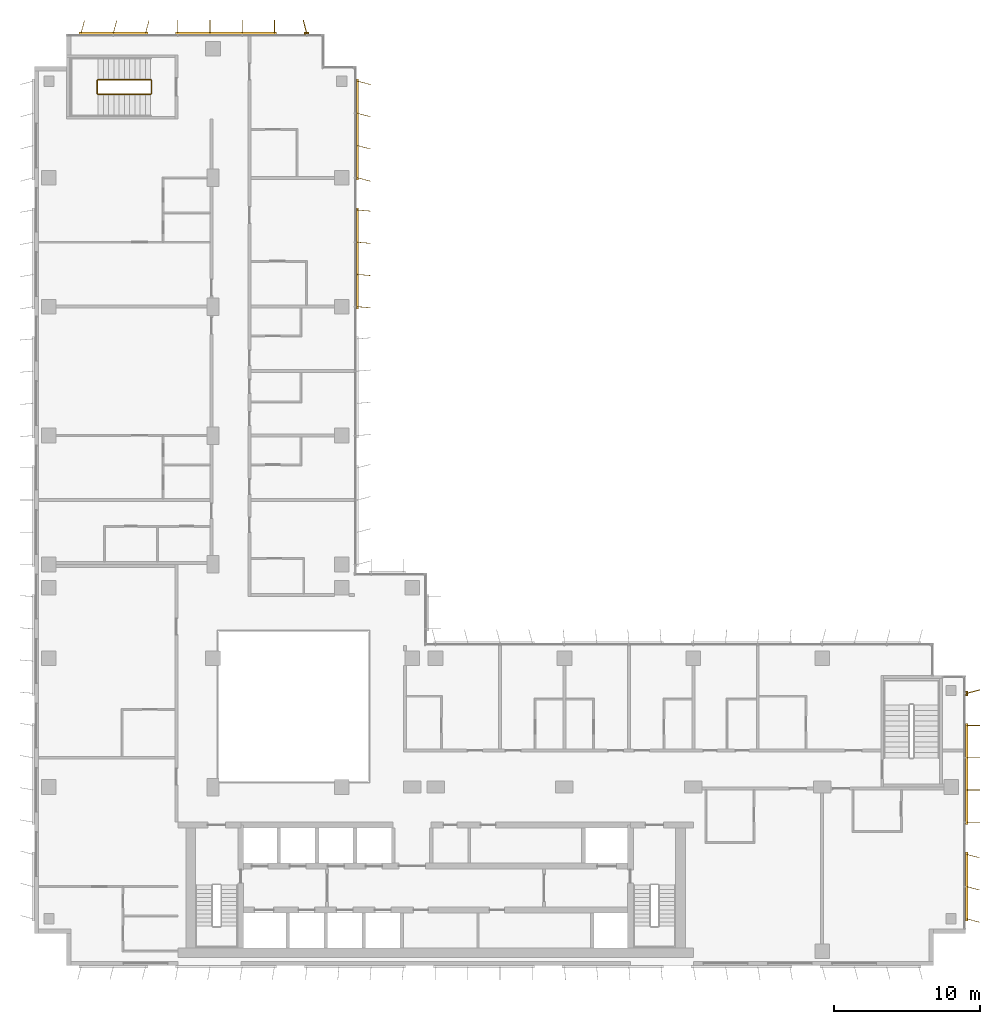
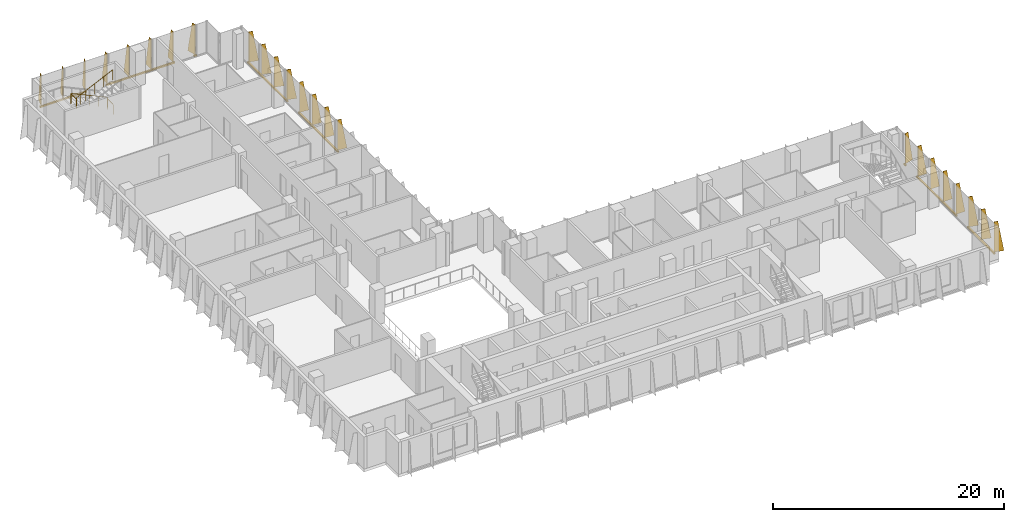
# One storey, part 21 of 21: 8 shading devices, 1 railing.
"""IFC4 building model written with IfcOpenShell, lengths in metres."""

from ifc_helpers import new_model, si_unit, direction, frame, origin, origin_2d, place, context, subcontext, project, spatial, polyline, rectangle, circle, outline, extrude, source, transform, mapped, material, layer, layer_set, type_object, element, save


model = new_model("IFC4")

# Units and contexts
model_context = context("Model", 3, precision=1e-05, world=origin(), true_north=direction((0.0, 1.0)))
body_context = subcontext(model_context, "Body", "Model", "MODEL_VIEW")
ifc_project = project(units=[si_unit("LENGTHUNIT", "METRE"), si_unit("AREAUNIT", "SQUARE_METRE"), si_unit("VOLUMEUNIT", "CUBIC_METRE"), si_unit("PLANEANGLEUNIT", "RADIAN"), si_unit("MASSUNIT", "GRAM", prefix="KILO")], contexts=[model_context])

# Site, building, storey
site_placement = place(None, origin())
site = spatial("IfcSite", under=ifc_project, at=site_placement, CompositionType="ELEMENT")
building_placement = place(site_placement, origin())
building = spatial("IfcBuilding", under=site, at=building_placement, Name="Kemantara Hotel Tower", CompositionType="ELEMENT")
storey_placement = place(building_placement, frame((0.0, 0.0, 167.89990234375)))
storey = spatial("IfcBuildingStorey", under=building, at=storey_placement, Name="L41", CompositionType="ELEMENT", Elevation=167.89990234375)

# Railing
ifc_material_1 = material(Name="Stainless steel balustrade", Category="steel")
railing_type = type_object("IfcRailingType", Name="Stair guard 1100 mm", PredefinedType="GUARDRAIL", material=ifc_material_1)
railing_placement = place(storey_placement, frame((7.949951171875, 59.5, 3.7001953125)))
element("IfcRailing", 1, at=railing_placement, inside=storey, type_object=railing_type, Name="L41 ST4 stair guard 1", PredefinedType="GUARDRAIL", context=body_context, shape_type="SweptSolid", body=[
    extrude(circle(Radius=0.02392578125, at=origin_2d()), frame((0.0, 0.0, 1.076171875), z_axis=(-0.905994681025, 0.0, -0.423289071386), x_axis=(0.0, -1.0, 0.0)), (0.0, 0.0, 1.0), 3.973388671875),
    extrude(circle(Radius=0.02392578125, at=origin_2d()), frame((-3.599853515625, 0.0, -0.60595703125), z_axis=(-0.274243871929, 0.274243871929, -0.92172696468), x_axis=(-0.707106781187, -0.707106781187, 0.0)), (0.0, 0.0, 1.0), 0.1826171875),
    extrude(circle(Radius=0.02392578125, at=origin_2d()), frame((-3.64990234375, 0.050048828125, -0.77392578125), z_axis=(0.0, 1.0, 0.0), x_axis=(-1.0, 0.0, 0.0)), (0.0, 0.0, 1.0), 0.89990234375),
    extrude(circle(Radius=0.02392578125, at=origin_2d()), frame((-3.64990234375, 0.949951171875, -0.77392578125), z_axis=(0.707106781187, 0.707106781187, 0.0), x_axis=(-0.707106781187, 0.707106781187, 0.0)), (0.0, 0.0, 1.0), 0.07080078125),
    extrude(circle(Radius=0.02392578125, at=origin_2d()), frame((-3.599853515625, 1.0, -0.77392578125), z_axis=(0.905994681025, 0.0, -0.423289071386), x_axis=(0.0, 1.0, 0.0)), (0.0, 0.0, 1.0), 3.973388671875),
    extrude(circle(Radius=0.02392578125, at=origin_2d()), frame((0.0, 1.0, -2.4560546875), z_axis=(0.274243871929, -0.274243871929, -0.92172696468), x_axis=(0.707106781187, 0.707106781187, 0.0)), (0.0, 0.0, 1.0), 0.1826171875),
    extrude(circle(Radius=0.02392578125, at=origin_2d()), frame((0.050048828125, 0.949951171875, -2.6240234375), z_axis=(0.0, -1.0, 0.0), x_axis=(1.0, 0.0, 0.0)), (0.0, 0.0, 1.0), 0.89990234375),
    extrude(circle(Radius=0.02099609375, at=origin_2d()), origin(), (0.0, 0.0, 1.0), 1.052001953125),
    extrude(circle(Radius=0.02099609375, at=origin_2d()), frame((-0.89990234375, 0.0, -0.42041015625)), (0.0, 0.0, 1.0), 1.052001953125),
    extrude(circle(Radius=0.02099609375, at=origin_2d()), frame((-1.7998046875, 0.0, -0.8408203125)), (0.0, 0.0, 1.0), 1.052001953125),
    extrude(circle(Radius=0.02099609375, at=origin_2d()), frame((-2.699951171875, 0.0, -1.261474609375)), (0.0, 0.0, 1.0), 1.052001953125),
    extrude(circle(Radius=0.02099609375, at=origin_2d()), frame((-3.599853515625, 0.0, -1.681884765625)), (0.0, 0.0, 1.0), 1.052001953125),
    extrude(circle(Radius=0.02099609375, at=origin_2d()), frame((-3.64990234375, 0.050048828125, -1.85009765625)), (0.0, 0.0, 1.0), 1.052001953125),
    extrude(circle(Radius=0.02099609375, at=origin_2d()), frame((-3.64990234375, 0.949951171875, -1.85009765625)), (0.0, 0.0, 1.0), 1.052001953125),
    extrude(circle(Radius=0.02099609375, at=origin_2d()), frame((-3.599853515625, 1.0, -1.85009765625)), (0.0, 0.0, 1.0), 1.052001953125),
    extrude(circle(Radius=0.02099609375, at=origin_2d()), frame((-2.699951171875, 1.0, -2.2705078125)), (0.0, 0.0, 1.0), 1.052001953125),
    extrude(circle(Radius=0.02099609375, at=origin_2d()), frame((-1.7998046875, 1.0, -2.69091796875)), (0.0, 0.0, 1.0), 1.052001953125),
    extrude(circle(Radius=0.02099609375, at=origin_2d()), frame((-0.89990234375, 1.0, -3.111572265625)), (0.0, 0.0, 1.0), 1.052001953125),
    extrude(circle(Radius=0.02099609375, at=origin_2d()), frame((0.0, 1.0, -3.531982421875)), (0.0, 0.0, 1.0), 1.052001953125),
    extrude(circle(Radius=0.02099609375, at=origin_2d()), frame((0.050048828125, 0.949951171875, -3.7001953125)), (0.0, 0.0, 1.0), 1.052001953125),
    extrude(circle(Radius=0.02099609375, at=origin_2d()), frame((0.050048828125, 0.050048828125, -3.7001953125)), (0.0, 0.0, 1.0), 1.052001953125),
])

# Shading devices
ifc_material_2 = material(Name="Perforated aluminium plate 4 mm bronze anodised", Category="aluminium")
ifc_layer_1 = layer(ifc_material_2, 0.0400390625)
ifc_layer_set_1 = layer_set([ifc_layer_1], Name="Perforated aluminium plate 4 mm bronze anodised")
shading_device_type_1 = type_object("IfcShadingDeviceType", Name="SCREEN FIN CASSETTE, 3 BLADES AT -15.0 DEG, 3200 HIGH", PredefinedType="USERDEFINED", material=ifc_layer_set_1)
shared_shape_1 = source(origin(), body_context, "Body", "SweptSolid", [
    extrude(rectangle(XDim=4.699951171875, YDim=0.14990234375, at=origin_2d()), frame((2.199951171875, -0.074951171875, -0.14990234375), z_axis=(0.0, 0.0, 1.0), x_axis=(1.0, 0.0, 0.0)), (0.0, 0.0, 1.0), 0.14990234375),
    extrude(outline(polyline([(0.0, 0.0), (0.89990234375, 0.0), (0.35009765625, 3.199951171875), (0.0, 3.199951171875), (0.0, 0.0)])), frame((0.019287109375, -0.080078125, 0.0), z_axis=(-0.966437683387, 0.256901156343, 0.0), x_axis=(-0.256901156343, -0.966437683387, 0.0)), (0.0, 0.0, 1.0), 0.039794921875),
    extrude(outline(polyline([(0.0, 0.0), (0.89990234375, 0.0), (0.35009765625, 3.199951171875), (0.0, 3.199951171875), (0.0, 0.0)])), frame((2.21923828125, -0.080078125, 0.0), z_axis=(-0.966437683387, 0.256901156343, 0.0), x_axis=(-0.256901156343, -0.966437683387, 0.0)), (0.0, 0.0, 1.0), 0.039794921875),
    extrude(outline(polyline([(0.0, 0.0), (0.89990234375, 0.0), (0.35009765625, 3.199951171875), (0.0, 3.199951171875), (0.0, 0.0)])), frame((4.41943359375, -0.080078125, 0.0), z_axis=(-0.966837822169, 0.255391122837, 0.0), x_axis=(-0.255391122837, -0.966837822169, 0.0)), (0.0, 0.0, 1.0), 0.0400390625),
])
for number, where, z_axis, x_axis, name in (
    (2, (7.60009765625, 63.60009765625, 0.10009765625), (0.0, 0.0, 1.0), (-1.0, 0.0, 0.0), "SCREEN FIN CASSETTE L41 T3-R02-3"),
    (3, (63.60009765625, 3.199951171875, 0.10009765625), (0.0, 0.0, 1.0), (0.0, 1.0, 0.0), "SCREEN FIN CASSETTE L41 T3-R11-1"),
):
    element("IfcShadingDevice", number, at=place(storey_placement, frame(where, z_axis=z_axis, x_axis=x_axis)), inside=storey, type_object=shading_device_type_1, Name=name, ObjectType="SCREEN FIN", PredefinedType="USERDEFINED", context=body_context, shape_type="MappedRepresentation", body=[
        mapped(shared_shape_1, transform((0.0, 0.0, 0.0))),
    ])
ifc_layer_2 = layer(ifc_material_2, 0.0400390625)
ifc_layer_set_2 = layer_set([ifc_layer_2], Name="Perforated aluminium plate 4 mm bronze anodised")
shading_device_type_2 = type_object("IfcShadingDeviceType", Name="SCREEN FIN CASSETTE, 4 BLADES AT -5.0 DEG, 3200 HIGH", PredefinedType="USERDEFINED", material=ifc_layer_set_2)
shared_shape_2 = source(origin(), body_context, "Body", "SweptSolid", [
    extrude(rectangle(XDim=6.89990234375, YDim=0.14990234375, at=origin_2d()), frame((3.300048828125, -0.074951171875, -0.14990234375), z_axis=(0.0, 0.0, 1.0), x_axis=(1.0, 0.0, 0.0)), (0.0, 0.0, 1.0), 0.14990234375),
    extrude(outline(polyline([(0.0, 0.0), (0.89990234375, 0.0), (0.35009765625, 3.199951171875), (0.0, 3.199951171875), (0.0, 0.0)])), frame((0.02001953125, -0.07666015625, 0.0), z_axis=(-0.996376129781, 0.085056498884, 0.0), x_axis=(-0.085056498884, -0.996376129781, 0.0)), (0.0, 0.0, 1.0), 0.040283203125),
    extrude(outline(polyline([(0.0, 0.0), (0.89990234375, 0.0), (0.35009765625, 3.199951171875), (0.0, 3.199951171875), (0.0, 0.0)])), frame((2.219970703125, -0.07666015625, 0.0), z_axis=(-0.996331773833, 0.085574508182, 0.0), x_axis=(-0.085574508182, -0.996331773833, 0.0)), (0.0, 0.0, 1.0), 0.0400390625),
    extrude(outline(polyline([(0.0, 0.0), (0.89990234375, 0.0), (0.35009765625, 3.199951171875), (0.0, 3.199951171875), (0.0, 0.0)])), frame((4.419921875, -0.07666015625, 0.0), z_axis=(-0.996331773833, 0.085574508182, 0.0), x_axis=(-0.085574508182, -0.996331773833, 0.0)), (0.0, 0.0, 1.0), 0.0400390625),
    extrude(outline(polyline([(0.0, 0.0), (0.89990234375, 0.0), (0.35009765625, 3.199951171875), (0.0, 3.199951171875), (0.0, 0.0)])), frame((6.619873046875, -0.07666015625, 0.0), z_axis=(-0.996331773833, 0.085574508182, 0.0), x_axis=(-0.085574508182, -0.996331773833, 0.0)), (0.0, 0.0, 1.0), 0.0400390625),
])
shading_device_1_placement = place(storey_placement, frame((22.0, 45.0, 0.10009765625), z_axis=(0.0, 0.0, 1.0), x_axis=(0.0, 1.0, 0.0)))
element("IfcShadingDevice", 4, at=shading_device_1_placement, inside=storey, type_object=shading_device_type_2, Name="SCREEN FIN CASSETTE L41 T3-R17-3", ObjectType="SCREEN FIN", PredefinedType="USERDEFINED", context=body_context, shape_type="MappedRepresentation", body=[
    mapped(shared_shape_2, transform((0.0, 0.0, 0.0))),
])
ifc_layer_3 = layer(ifc_material_2, 0.0400390625)
ifc_layer_set_3 = layer_set([ifc_layer_3], Name="Perforated aluminium plate 4 mm bronze anodised")
shading_device_type_3 = type_object("IfcShadingDeviceType", Name="SCREEN FIN CASSETTE, 4 BLADES AT +0.0 DEG, 3200 HIGH", PredefinedType="USERDEFINED", material=ifc_layer_set_3)
shared_shape_3 = source(origin(), body_context, "Body", "SweptSolid", [
    extrude(rectangle(XDim=6.89990234375, YDim=0.14990234375, at=origin_2d()), frame((3.300048828125, -0.074951171875, -0.14990234375), z_axis=(0.0, 0.0, 1.0), x_axis=(1.0, 0.0, 0.0)), (0.0, 0.0, 1.0), 0.14990234375),
    extrude(outline(polyline([(0.0, 0.0), (0.89990234375, 0.0), (0.35009765625, 3.199951171875), (0.0, 3.199951171875), (0.0, 0.0)])), frame((0.02001953125, -0.074951171875, 0.0), z_axis=(-1.0, 0.0, 0.0), x_axis=(0.0, -1.0, 0.0)), (0.0, 0.0, 1.0), 0.0400390625),
    extrude(outline(polyline([(0.0, 0.0), (0.89990234375, 0.0), (0.35009765625, 3.199951171875), (0.0, 3.199951171875), (0.0, 0.0)])), frame((2.219970703125, -0.074951171875, 0.0), z_axis=(-1.0, 0.0, 0.0), x_axis=(0.0, -1.0, 0.0)), (0.0, 0.0, 1.0), 0.0400390625),
    extrude(outline(polyline([(0.0, 0.0), (0.89990234375, 0.0), (0.35009765625, 3.199951171875), (0.0, 3.199951171875), (0.0, 0.0)])), frame((4.419921875, -0.074951171875, 0.0), z_axis=(-1.0, 0.0, 0.0), x_axis=(0.0, -1.0, 0.0)), (0.0, 0.0, 1.0), 0.0400390625),
    extrude(outline(polyline([(0.0, 0.0), (0.89990234375, 0.0), (0.35009765625, 3.199951171875), (0.0, 3.199951171875), (0.0, 0.0)])), frame((6.6201171875, -0.074951171875, 0.0), z_axis=(-1.0, 0.0, 0.0), x_axis=(0.0, -1.0, 0.0)), (0.0, 0.0, 1.0), 0.0400390625),
])
for number, where, z_axis, x_axis, name in (
    (5, (16.39990234375, 63.60009765625, 0.10009765625), (0.0, 0.0, 1.0), (-1.0, 0.0, 0.0), "SCREEN FIN CASSETTE L41 T3-R02-2"),
    (6, (63.60009765625, 9.800048828125, 0.10009765625), (0.0, 0.0, 1.0), (0.0, 1.0, 0.0), "SCREEN FIN CASSETTE L41 T3-R11-2"),
):
    element("IfcShadingDevice", number, at=place(storey_placement, frame(where, z_axis=z_axis, x_axis=x_axis)), inside=storey, type_object=shading_device_type_3, Name=name, ObjectType="SCREEN FIN", PredefinedType="USERDEFINED", context=body_context, shape_type="MappedRepresentation", body=[
        mapped(shared_shape_3, transform((0.0, 0.0, 0.0))),
    ])
ifc_layer_4 = layer(ifc_material_2, 0.0400390625)
ifc_layer_set_4 = layer_set([ifc_layer_4], Name="Perforated aluminium plate 4 mm bronze anodised")
shading_device_type_4 = type_object("IfcShadingDeviceType", Name="SCREEN FIN CASSETTE, 4 BLADES AT -15.0 DEG, 3200 HIGH", PredefinedType="USERDEFINED", material=ifc_layer_set_4)
shared_shape_4 = source(origin(), body_context, "Body", "SweptSolid", [
    extrude(rectangle(XDim=6.89990234375, YDim=0.14990234375, at=origin_2d()), frame((3.300048828125, -0.074951171875, -0.14990234375), z_axis=(0.0, 0.0, 1.0), x_axis=(1.0, 0.0, 0.0)), (0.0, 0.0, 1.0), 0.14990234375),
    extrude(outline(polyline([(0.0, 0.0), (0.89990234375, 0.0), (0.35009765625, 3.199951171875), (0.0, 3.199951171875), (0.0, 0.0)])), frame((0.019287109375, -0.080078125, 0.0), z_axis=(-0.966437683387, 0.256901156343, 0.0), x_axis=(-0.256901156343, -0.966437683387, 0.0)), (0.0, 0.0, 1.0), 0.039794921875),
    extrude(outline(polyline([(0.0, 0.0), (0.89990234375, 0.0), (0.35009765625, 3.199951171875), (0.0, 3.199951171875), (0.0, 0.0)])), frame((2.21923828125, -0.080078125, 0.0), z_axis=(-0.966437683387, 0.256901156343, 0.0), x_axis=(-0.256901156343, -0.966437683387, 0.0)), (0.0, 0.0, 1.0), 0.039794921875),
    extrude(outline(polyline([(0.0, 0.0), (0.89990234375, 0.0), (0.35009765625, 3.199951171875), (0.0, 3.199951171875), (0.0, 0.0)])), frame((4.41943359375, -0.080078125, 0.0), z_axis=(-0.966837822169, 0.255391122837, 0.0), x_axis=(-0.255391122837, -0.966837822169, 0.0)), (0.0, 0.0, 1.0), 0.0400390625),
    extrude(outline(polyline([(0.0, 0.0), (0.89990234375, 0.0), (0.35009765625, 3.199951171875), (0.0, 3.199951171875), (0.0, 0.0)])), frame((6.619384765625, -0.080078125, 0.0), z_axis=(-0.966837822169, 0.255391122837, 0.0), x_axis=(-0.255391122837, -0.966837822169, 0.0)), (0.0, 0.0, 1.0), 0.0400390625),
])
shading_device_2_placement = place(storey_placement, frame((22.0, 53.800048828125, 0.10009765625), z_axis=(0.0, 0.0, 1.0), x_axis=(0.0, 1.0, 0.0)))
element("IfcShadingDevice", 7, at=shading_device_2_placement, inside=storey, type_object=shading_device_type_4, Name="SCREEN FIN CASSETTE L41 T3-R17-4", ObjectType="SCREEN FIN", PredefinedType="USERDEFINED", context=body_context, shape_type="MappedRepresentation", body=[
    mapped(shared_shape_4, transform((0.0, 0.0, 0.0))),
])
ifc_layer_5 = layer(ifc_material_2, 0.0400390625)
ifc_layer_set_5 = layer_set([ifc_layer_5], Name="Perforated aluminium plate 4 mm bronze anodised")
shading_device_type_5 = type_object("IfcShadingDeviceType", Name="SCREEN FIN CASSETTE, 1 BLADE AT +15.0 DEG, 3200 HIGH", PredefinedType="USERDEFINED", material=ifc_layer_set_5)
shared_shape_5 = source(origin(), body_context, "Body", "SweptSolid", [
    extrude(rectangle(XDim=0.300048828125, YDim=0.14990234375, at=origin_2d()), frame((0.0, -0.074951171875, -0.14990234375), z_axis=(0.0, 0.0, 1.0), x_axis=(1.0, 0.0, 0.0)), (0.0, 0.0, 1.0), 0.14990234375),
    extrude(outline(polyline([(0.0, 0.0), (0.89990234375, 0.0), (0.35009765625, 3.199951171875), (0.0, 3.199951171875), (0.0, 0.0)])), frame((0.019287109375, -0.06982421875, 0.0), z_axis=(-0.966437683387, -0.256901156343, 0.0), x_axis=(0.256901156343, -0.966437683387, 0.0)), (0.0, 0.0, 1.0), 0.039794921875),
])
for number, where, z_axis, x_axis, name in (
    (8, (18.60009765625, 63.60009765625, 0.10009765625), (0.0, 0.0, 1.0), (-1.0, 0.0, 0.0), "SCREEN FIN CASSETTE L41 T3-R02-1"),
    (9, (63.60009765625, 18.60009765625, 0.10009765625), (0.0, 0.0, 1.0), (0.0, 1.0, 0.0), "SCREEN FIN CASSETTE L41 T3-R11-3"),
):
    element("IfcShadingDevice", number, at=place(storey_placement, frame(where, z_axis=z_axis, x_axis=x_axis)), inside=storey, type_object=shading_device_type_5, Name=name, ObjectType="SCREEN FIN", PredefinedType="USERDEFINED", context=body_context, shape_type="MappedRepresentation", body=[
        mapped(shared_shape_5, transform((0.0, 0.0, 0.0))),
    ])

save(model, "model.ifc")
